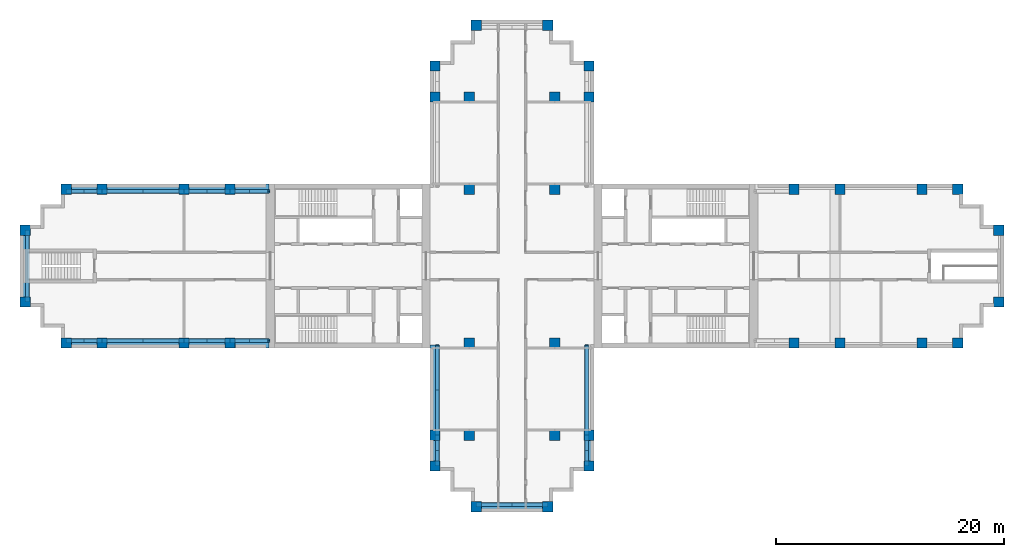
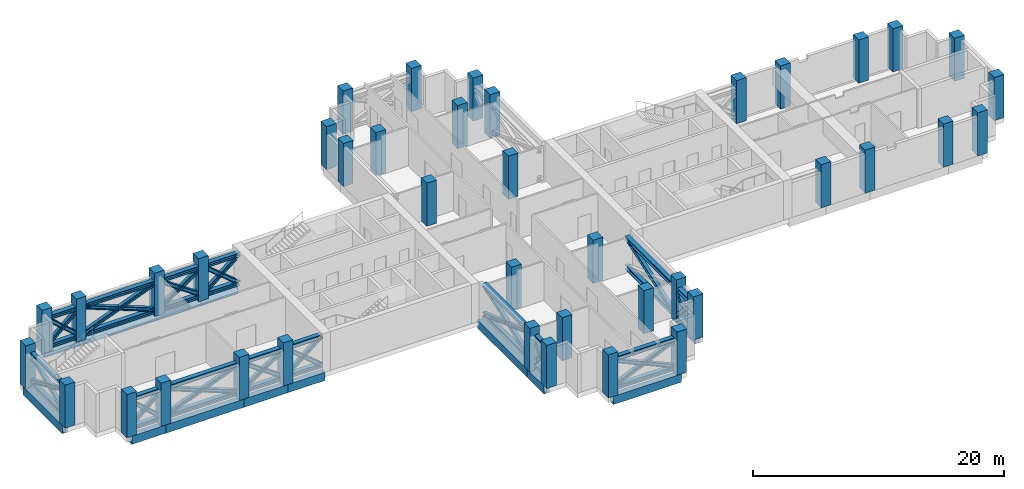
# One storey, part 1 of 9: 55 members, 40 columns, 13 beams.
"""IFC4 building model written with IfcOpenShell, lengths in metres."""

from ifc_helpers import new_model, si_unit, direction, frame, origin, origin_2d, place, context, subcontext, project, spatial, rectangle, i_section, extrude, material, material_profile, profile_set, type_object, element, save


model = new_model("IFC4")

# Units and contexts
model_context = context("Model", 3, precision=1e-05, world=origin(), true_north=direction((0.0, 1.0)))
body_context = subcontext(model_context, "Body", "Model", "MODEL_VIEW")
ifc_project = project(units=[si_unit("LENGTHUNIT", "METRE"), si_unit("AREAUNIT", "SQUARE_METRE"), si_unit("VOLUMEUNIT", "CUBIC_METRE"), si_unit("PLANEANGLEUNIT", "RADIAN"), si_unit("MASSUNIT", "GRAM", prefix="KILO")], contexts=[model_context])

# Site, building, storey
site_placement = place(None, origin())
site = spatial("IfcSite", under=ifc_project, at=site_placement, CompositionType="ELEMENT")
building_placement = place(site_placement, origin())
building = spatial("IfcBuilding", under=site, at=building_placement, Name="Fustian Cross Tower", CompositionType="ELEMENT")
storey_placement = place(building_placement, frame((0.0, 0.0, 162.300048828125)))
storey = spatial("IfcBuildingStorey", under=building, at=storey_placement, Name="L51", CompositionType="ELEMENT", Elevation=162.300048828125)

# Columns
ifc_material_1 = material(Name="Concrete C40/50", Category="concrete")
ifc_material_profile_1 = material_profile(ifc_material_1, rectangle(XDim=0.89990234375, YDim=0.89990234375, at=origin_2d()), Name="RC 900x900")
ifc_profile_set_1 = profile_set([ifc_material_profile_1], Name="Concrete C40/50")
column_type = type_object("IfcColumnType", Name="COLUMN RC 900x900 C40/50", PredefinedType="COLUMN", material=ifc_profile_set_1)
for number, where, z_axis, x_axis, name in (
    (1, (-42.75, -3.14990234375, 0.0), (0.0, 0.0, 1.0), (1.0, 0.0, 0.0), "COLUMN 001"),
    (2, (-42.75, 3.14990234375, 0.0), (0.0, 0.0, 1.0), (1.0, 0.0, 0.0), "COLUMN 002"),
    (3, (-39.14990234375, -6.75, 0.0), (0.0, 0.0, 1.0), (1.0, 0.0, 0.0), "COLUMN 003"),
    (4, (-39.14990234375, 6.75, 0.0), (0.0, 0.0, 1.0), (1.0, 0.0, 0.0), "COLUMN 004"),
    (5, (-36.0, -6.75, 0.0), (0.0, 0.0, 1.0), (1.0, 0.0, 0.0), "COLUMN 005"),
    (6, (-36.0, 6.75, 0.0), (0.0, 0.0, 1.0), (1.0, 0.0, 0.0), "COLUMN 006"),
    (7, (-28.800048828125, -6.75, 0.0), (0.0, 0.0, 1.0), (1.0, 0.0, 0.0), "COLUMN 007"),
    (8, (-28.800048828125, 6.75, 0.0), (0.0, 0.0, 1.0), (1.0, 0.0, 0.0), "COLUMN 010"),
    (9, (-24.75, -6.75, 0.0), (0.0, 0.0, 1.0), (1.0, 0.0, 0.0), "COLUMN 011"),
    (10, (-24.75, 6.75, 0.0), (0.0, 0.0, 1.0), (1.0, 0.0, 0.0), "COLUMN 012"),
    (11, (-6.75, -17.550048828125, 0.0), (0.0, 0.0, 1.0), (1.0, 0.0, 0.0), "COLUMN 017"),
    (12, (-6.75, -14.85009765625, 0.0), (0.0, 0.0, 1.0), (1.0, 0.0, 0.0), "COLUMN 018"),
    (13, (-6.75, 14.85009765625, 0.0), (0.0, 0.0, 1.0), (1.0, 0.0, 0.0), "COLUMN 019"),
    (14, (-6.75, 17.550048828125, 0.0), (0.0, 0.0, 1.0), (1.0, 0.0, 0.0), "COLUMN 020"),
    (15, (-3.75, -14.85009765625, 0.0), (0.0, 0.0, 1.0), (1.0, 0.0, 0.0), "COLUMN 025"),
    (16, (-3.75, -6.75, 0.0), (0.0, 0.0, 1.0), (1.0, 0.0, 0.0), "COLUMN 026"),
    (17, (-3.75, 6.75, 0.0), (0.0, 0.0, 1.0), (1.0, 0.0, 0.0), "COLUMN 027"),
    (18, (-3.75, 14.85009765625, 0.0), (0.0, 0.0, 1.0), (1.0, 0.0, 0.0), "COLUMN 028"),
    (19, (-3.14990234375, -21.14990234375, 0.0), (0.0, 0.0, 1.0), (1.0, 0.0, 0.0), "COLUMN 030"),
    (20, (-3.14990234375, 21.14990234375, 0.0), (0.0, 0.0, 1.0), (1.0, 0.0, 0.0), "COLUMN 031"),
    (21, (3.14990234375, -21.14990234375, 0.0), (0.0, 0.0, 1.0), (1.0, 0.0, 0.0), "COLUMN 034"),
    (22, (3.14990234375, 21.14990234375, 0.0), (0.0, 0.0, 1.0), (1.0, 0.0, 0.0), "COLUMN 035"),
    (23, (3.75, -14.85009765625, 0.0), (0.0, 0.0, 1.0), (1.0, 0.0, 0.0), "COLUMN 037"),
    (24, (3.75, -6.75, 0.0), (0.0, 0.0, 1.0), (1.0, 0.0, 0.0), "COLUMN 038"),
    (25, (3.75, 6.75, 0.0), (0.0, 0.0, 1.0), (1.0, 0.0, 0.0), "COLUMN 039"),
    (26, (3.75, 14.85009765625, 0.0), (0.0, 0.0, 1.0), (1.0, 0.0, 0.0), "COLUMN 040"),
    (27, (6.75, -17.550048828125, 0.0), (0.0, 0.0, 1.0), (1.0, 0.0, 0.0), "COLUMN 045"),
    (28, (6.75, -14.85009765625, 0.0), (0.0, 0.0, 1.0), (1.0, 0.0, 0.0), "COLUMN 046"),
    (29, (6.75, 14.85009765625, 0.0), (0.0, 0.0, 1.0), (1.0, 0.0, 0.0), "COLUMN 047"),
    (30, (6.75, 17.550048828125, 0.0), (0.0, 0.0, 1.0), (1.0, 0.0, 0.0), "COLUMN 048"),
    (31, (24.75, -6.75, 0.0), (0.0, 0.0, 1.0), (1.0, 0.0, 0.0), "COLUMN 053"),
    (32, (24.75, 6.75, 0.0), (0.0, 0.0, 1.0), (1.0, 0.0, 0.0), "COLUMN 054"),
    (33, (28.800048828125, -6.75, 0.0), (0.0, 0.0, 1.0), (1.0, 0.0, 0.0), "COLUMN 055"),
    (34, (28.800048828125, 6.75, 0.0), (0.0, 0.0, 1.0), (1.0, 0.0, 0.0), "COLUMN 058"),
    (35, (36.0, -6.75, 0.0), (0.0, 0.0, 1.0), (1.0, 0.0, 0.0), "COLUMN 059"),
    (36, (36.0, 6.75, 0.0), (0.0, 0.0, 1.0), (1.0, 0.0, 0.0), "COLUMN 060"),
    (37, (39.14990234375, -6.75, 0.0), (0.0, 0.0, 1.0), (1.0, 0.0, 0.0), "COLUMN 061"),
    (38, (39.14990234375, 6.75, 0.0), (0.0, 0.0, 1.0), (1.0, 0.0, 0.0), "COLUMN 062"),
    (39, (42.75, -3.14990234375, 0.0), (0.0, 0.0, 1.0), (1.0, 0.0, 0.0), "COLUMN 063"),
    (40, (42.75, 3.14990234375, 0.0), (0.0, 0.0, 1.0), (1.0, 0.0, 0.0), "COLUMN 064"),
):
    element("IfcColumn", number, at=place(storey_placement, frame(where, z_axis=z_axis, x_axis=x_axis)), inside=storey, type_object=column_type, Name=name, PredefinedType="COLUMN", context=body_context, shape_type="SweptSolid", body=[
        extrude(rectangle(XDim=0.89990234375, YDim=0.89990234375, at=origin_2d()), origin(), (0.0, 0.0, 1.0), 4.199951171875),
    ])

# Members
ifc_material_2 = material(Name="Steel S355", Category="steel")
ifc_material_profile_2 = material_profile(ifc_material_2, i_section(OverallWidth=0.318359375, OverallDepth=0.3525390625, WebThickness=0.02294921875, FlangeThickness=0.03759765625, FilletRadius=0.01513671875, at=origin_2d()), Name="UC 305x305x240")
ifc_profile_set_2 = profile_set([ifc_material_profile_2], Name="Steel S355")
member_type_1 = type_object("IfcMemberType", Name="BELT TRUSS BRACE UC 305x305x240 S355", PredefinedType="BRACE", material=ifc_profile_set_2)
for number, where, z_axis, x_axis, name in (
    (41, (-21.35009765625, 6.570068359375, 0.39990234375), (-0.772269488745, 0.0, 0.63529507849), (0.0, -1.0, 0.0), "BELT TRUSS BRACE L51-08X"),
    (42, (-21.35009765625, 6.570068359375, 3.19677734375), (-0.772269488745, 0.0, -0.63529507849), (0.0, -1.0, 0.0), "BELT TRUSS BRACE L51-08Y"),
):
    element("IfcMember", number, at=place(storey_placement, frame(where, z_axis=z_axis, x_axis=x_axis)), inside=storey, type_object=member_type_1, Name=name, PredefinedType="BRACE", context=body_context, shape_type="SweptSolid", body=[
        extrude(i_section(OverallWidth=0.318359375, OverallDepth=0.3525390625, WebThickness=0.02294921875, FlangeThickness=0.03759765625, FilletRadius=0.01513671875, at=origin_2d()), origin(), (0.0, 0.0, 1.0), 4.402587890625),
    ])
for number, where, z_axis, x_axis, name in (
    (43, (-24.75, 6.570068359375, 0.39990234375), (-0.822857692588, 0.0, 0.568247496913), (0.0, -1.0, 0.0), "BELT TRUSS BRACE L51-09X"),
    (44, (-24.75, 6.570068359375, 3.19677734375), (-0.822857692588, 0.0, -0.568247496913), (0.0, -1.0, 0.0), "BELT TRUSS BRACE L51-09Y"),
):
    element("IfcMember", number, at=place(storey_placement, frame(where, z_axis=z_axis, x_axis=x_axis)), inside=storey, type_object=member_type_1, Name=name, PredefinedType="BRACE", context=body_context, shape_type="SweptSolid", body=[
        extrude(i_section(OverallWidth=0.318359375, OverallDepth=0.3525390625, WebThickness=0.02294921875, FlangeThickness=0.03759765625, FilletRadius=0.01513671875, at=origin_2d()), origin(), (0.0, 0.0, 1.0), 4.921875),
    ])
for number, where, z_axis, x_axis, name in (
    (45, (-28.800048828125, 6.570068359375, 0.39990234375), (-0.932140442606, 0.0, 0.362096941796), (0.0, -1.0, 0.0), "BELT TRUSS BRACE L51-10X"),
    (46, (-28.800048828125, 6.570068359375, 3.19677734375), (-0.932140442606, 0.0, -0.362096941796), (0.0, -1.0, 0.0), "BELT TRUSS BRACE L51-10Y"),
):
    element("IfcMember", number, at=place(storey_placement, frame(where, z_axis=z_axis, x_axis=x_axis)), inside=storey, type_object=member_type_1, Name=name, PredefinedType="BRACE", context=body_context, shape_type="SweptSolid", body=[
        extrude(i_section(OverallWidth=0.318359375, OverallDepth=0.3525390625, WebThickness=0.02294921875, FlangeThickness=0.03759765625, FilletRadius=0.01513671875, at=origin_2d()), origin(), (0.0, 0.0, 1.0), 7.72412109375),
    ])
for number, where, z_axis, x_axis, name in (
    (47, (-36.0, 6.570068359375, 0.39990234375), (-0.747767347314, 0.0, 0.663960837919), (0.0, -1.0, 0.0), "BELT TRUSS BRACE L51-11X"),
    (48, (-36.0, 6.570068359375, 3.19677734375), (-0.747767347314, 0.0, -0.663960837919), (0.0, -1.0, 0.0), "BELT TRUSS BRACE L51-11Y"),
):
    element("IfcMember", number, at=place(storey_placement, frame(where, z_axis=z_axis, x_axis=x_axis)), inside=storey, type_object=member_type_1, Name=name, PredefinedType="BRACE", context=body_context, shape_type="SweptSolid", body=[
        extrude(i_section(OverallWidth=0.318359375, OverallDepth=0.3525390625, WebThickness=0.02294921875, FlangeThickness=0.03759765625, FilletRadius=0.01513671875, at=origin_2d()), origin(), (0.0, 0.0, 1.0), 4.21240234375),
    ])
for number, where, z_axis, x_axis, name in (
    (49, (-42.570068359375, 3.14990234375, 0.39990234375), (0.0, -0.913975063302, 0.405770358285), (1.0, 0.0, 0.0), "BELT TRUSS BRACE L51-12X"),
    (50, (-42.570068359375, 3.14990234375, 3.19677734375), (0.0, -0.913975063302, -0.405770358285), (1.0, 0.0, 0.0), "BELT TRUSS BRACE L51-12Y"),
):
    element("IfcMember", number, at=place(storey_placement, frame(where, z_axis=z_axis, x_axis=x_axis)), inside=storey, type_object=member_type_1, Name=name, PredefinedType="BRACE", context=body_context, shape_type="SweptSolid", body=[
        extrude(i_section(OverallWidth=0.318359375, OverallDepth=0.3525390625, WebThickness=0.02294921875, FlangeThickness=0.03759765625, FilletRadius=0.01513671875, at=origin_2d()), origin(), (0.0, 0.0, 1.0), 6.892822265625),
    ])
for number, where, z_axis, x_axis, name in (
    (51, (-39.14990234375, -6.570068359375, 0.39990234375), (0.747767347314, 0.0, 0.663960837919), (0.0, 1.0, 0.0), "BELT TRUSS BRACE L51-13X"),
    (52, (-39.14990234375, -6.570068359375, 3.19677734375), (0.747767347314, 0.0, -0.663960837919), (0.0, 1.0, 0.0), "BELT TRUSS BRACE L51-13Y"),
):
    element("IfcMember", number, at=place(storey_placement, frame(where, z_axis=z_axis, x_axis=x_axis)), inside=storey, type_object=member_type_1, Name=name, PredefinedType="BRACE", context=body_context, shape_type="SweptSolid", body=[
        extrude(i_section(OverallWidth=0.318359375, OverallDepth=0.3525390625, WebThickness=0.02294921875, FlangeThickness=0.03759765625, FilletRadius=0.01513671875, at=origin_2d()), origin(), (0.0, 0.0, 1.0), 4.21240234375),
    ])
for number, where, z_axis, x_axis, name in (
    (53, (-36.0, -6.570068359375, 0.39990234375), (0.932140442606, 0.0, 0.362096941796), (0.0, 1.0, 0.0), "BELT TRUSS BRACE L51-14X"),
    (54, (-36.0, -6.570068359375, 3.19677734375), (0.932140442606, 0.0, -0.362096941796), (0.0, 1.0, 0.0), "BELT TRUSS BRACE L51-14Y"),
):
    element("IfcMember", number, at=place(storey_placement, frame(where, z_axis=z_axis, x_axis=x_axis)), inside=storey, type_object=member_type_1, Name=name, PredefinedType="BRACE", context=body_context, shape_type="SweptSolid", body=[
        extrude(i_section(OverallWidth=0.318359375, OverallDepth=0.3525390625, WebThickness=0.02294921875, FlangeThickness=0.03759765625, FilletRadius=0.01513671875, at=origin_2d()), origin(), (0.0, 0.0, 1.0), 7.72412109375),
    ])
for number, where, z_axis, x_axis, name in (
    (55, (-28.800048828125, -6.570068359375, 0.39990234375), (0.822857692588, 0.0, 0.568247496913), (0.0, 1.0, 0.0), "BELT TRUSS BRACE L51-15X"),
    (56, (-28.800048828125, -6.570068359375, 3.19677734375), (0.822857692588, 0.0, -0.568247496913), (0.0, 1.0, 0.0), "BELT TRUSS BRACE L51-15Y"),
):
    element("IfcMember", number, at=place(storey_placement, frame(where, z_axis=z_axis, x_axis=x_axis)), inside=storey, type_object=member_type_1, Name=name, PredefinedType="BRACE", context=body_context, shape_type="SweptSolid", body=[
        extrude(i_section(OverallWidth=0.318359375, OverallDepth=0.3525390625, WebThickness=0.02294921875, FlangeThickness=0.03759765625, FilletRadius=0.01513671875, at=origin_2d()), origin(), (0.0, 0.0, 1.0), 4.921875),
    ])
for number, where, z_axis, x_axis, name in (
    (57, (-24.75, -6.570068359375, 0.39990234375), (0.772269488745, 0.0, 0.63529507849), (0.0, 1.0, 0.0), "BELT TRUSS BRACE L51-16X"),
    (58, (-24.75, -6.570068359375, 3.19677734375), (0.772269488745, 0.0, -0.63529507849), (0.0, 1.0, 0.0), "BELT TRUSS BRACE L51-16Y"),
):
    element("IfcMember", number, at=place(storey_placement, frame(where, z_axis=z_axis, x_axis=x_axis)), inside=storey, type_object=member_type_1, Name=name, PredefinedType="BRACE", context=body_context, shape_type="SweptSolid", body=[
        extrude(i_section(OverallWidth=0.318359375, OverallDepth=0.3525390625, WebThickness=0.02294921875, FlangeThickness=0.03759765625, FilletRadius=0.01513671875, at=origin_2d()), origin(), (0.0, 0.0, 1.0), 4.402587890625),
    ])
for number, where, z_axis, x_axis, name in (
    (59, (-6.570068359375, -6.949951171875, 0.39990234375), (0.0, -0.942668280841, 0.333731197667), (1.0, 0.0, 0.0), "BELT TRUSS BRACE L51-17X"),
    (60, (-6.570068359375, -6.949951171875, 3.19677734375), (0.0, -0.942668280841, -0.333731197667), (1.0, 0.0, 0.0), "BELT TRUSS BRACE L51-17Y"),
):
    element("IfcMember", number, at=place(storey_placement, frame(where, z_axis=z_axis, x_axis=x_axis)), inside=storey, type_object=member_type_1, Name=name, PredefinedType="BRACE", context=body_context, shape_type="SweptSolid", body=[
        extrude(i_section(OverallWidth=0.318359375, OverallDepth=0.3525390625, WebThickness=0.02294921875, FlangeThickness=0.03759765625, FilletRadius=0.01513671875, at=origin_2d()), origin(), (0.0, 0.0, 1.0), 8.380615234375),
    ])
for number, where, z_axis, x_axis, name in (
    (61, (-6.570068359375, -14.85009765625, 0.39990234375), (0.0, -0.69453062653, 0.719463139301), (1.0, 0.0, 0.0), "BELT TRUSS BRACE L51-18X"),
    (62, (-6.570068359375, -14.85009765625, 3.19677734375), (0.0, -0.69453062653, -0.719463139301), (1.0, 0.0, 0.0), "BELT TRUSS BRACE L51-18Y"),
):
    element("IfcMember", number, at=place(storey_placement, frame(where, z_axis=z_axis, x_axis=x_axis)), inside=storey, type_object=member_type_1, Name=name, PredefinedType="BRACE", context=body_context, shape_type="SweptSolid", body=[
        extrude(i_section(OverallWidth=0.318359375, OverallDepth=0.3525390625, WebThickness=0.02294921875, FlangeThickness=0.03759765625, FilletRadius=0.01513671875, at=origin_2d()), origin(), (0.0, 0.0, 1.0), 3.887451171875),
    ])
for number, where, z_axis, x_axis, name in (
    (63, (-3.14990234375, -20.969970703125, 0.39990234375), (0.913975063302, 0.0, 0.405770358285), (0.0, 1.0, 0.0), "BELT TRUSS BRACE L51-19X"),
    (64, (-3.14990234375, -20.969970703125, 3.19677734375), (0.913975063302, 0.0, -0.405770358285), (0.0, 1.0, 0.0), "BELT TRUSS BRACE L51-19Y"),
):
    element("IfcMember", number, at=place(storey_placement, frame(where, z_axis=z_axis, x_axis=x_axis)), inside=storey, type_object=member_type_1, Name=name, PredefinedType="BRACE", context=body_context, shape_type="SweptSolid", body=[
        extrude(i_section(OverallWidth=0.318359375, OverallDepth=0.3525390625, WebThickness=0.02294921875, FlangeThickness=0.03759765625, FilletRadius=0.01513671875, at=origin_2d()), origin(), (0.0, 0.0, 1.0), 6.892822265625),
    ])
for number, where, z_axis, x_axis, name in (
    (65, (6.570068359375, -17.550048828125, 0.39990234375), (0.0, 0.69453062653, 0.719463139301), (-1.0, 0.0, 0.0), "BELT TRUSS BRACE L51-20X"),
    (66, (6.570068359375, -17.550048828125, 3.19677734375), (0.0, 0.69453062653, -0.719463139301), (-1.0, 0.0, 0.0), "BELT TRUSS BRACE L51-20Y"),
):
    element("IfcMember", number, at=place(storey_placement, frame(where, z_axis=z_axis, x_axis=x_axis)), inside=storey, type_object=member_type_1, Name=name, PredefinedType="BRACE", context=body_context, shape_type="SweptSolid", body=[
        extrude(i_section(OverallWidth=0.318359375, OverallDepth=0.3525390625, WebThickness=0.02294921875, FlangeThickness=0.03759765625, FilletRadius=0.01513671875, at=origin_2d()), origin(), (0.0, 0.0, 1.0), 3.887451171875),
    ])
member_placement = place(storey_placement, frame((6.570068359375, -14.85009765625, 0.39990234375), z_axis=(0.0, 0.942668280841, 0.333731197667), x_axis=(-1.0, 0.0, 0.0)))
element("IfcMember", 67, at=member_placement, inside=storey, type_object=member_type_1, Name="BELT TRUSS BRACE L51-21X", PredefinedType="BRACE", context=body_context, shape_type="SweptSolid", body=[
    extrude(i_section(OverallWidth=0.318359375, OverallDepth=0.3525390625, WebThickness=0.02294921875, FlangeThickness=0.03759765625, FilletRadius=0.01513671875, at=origin_2d()), origin(), (0.0, 0.0, 1.0), 8.380615234375),
])
ifc_material_3 = material(Name="Steel S355", Category="steel")
ifc_material_profile_3 = material_profile(ifc_material_3, i_section(OverallWidth=0.403076171875, OverallDepth=0.406494140625, WebThickness=0.026611328125, FlangeThickness=0.04296875, FilletRadius=0.01513671875, at=origin_2d()), Name="UC 356x406x340")
ifc_profile_set_3 = profile_set([ifc_material_profile_3], Name="Steel S355")
member_type_2 = type_object("IfcMemberType", Name="BELT TRUSS CHORD UC 356x406x340 S355", PredefinedType="CHORD", material=ifc_profile_set_3)
for number, where, z_axis, x_axis, name in (
    (68, (-21.35009765625, 6.570068359375, 3.19677734375), (-1.0, 0.0, 0.0), (0.0, -1.0, 0.0), "BELT TRUSS CHORD L51-08"),
    (69, (-21.35009765625, 6.570068359375, 0.39990234375), (-1.0, 0.0, 0.0), (0.0, -1.0, 0.0), "BELT TRUSS CHORD L51-08"),
):
    element("IfcMember", number, at=place(storey_placement, frame(where, z_axis=z_axis, x_axis=x_axis)), inside=storey, type_object=member_type_2, Name=name, PredefinedType="CHORD", context=body_context, shape_type="SweptSolid", body=[
        extrude(i_section(OverallWidth=0.403076171875, OverallDepth=0.406494140625, WebThickness=0.026611328125, FlangeThickness=0.04296875, FilletRadius=0.01513671875, at=origin_2d()), origin(), (0.0, 0.0, 1.0), 3.39990234375),
    ])
for number, where, z_axis, x_axis, name in (
    (70, (-24.75, 6.570068359375, 3.19677734375), (-1.0, 0.0, 0.0), (0.0, -1.0, 0.0), "BELT TRUSS CHORD L51-09"),
    (71, (-24.75, 6.570068359375, 0.39990234375), (-1.0, 0.0, 0.0), (0.0, -1.0, 0.0), "BELT TRUSS CHORD L51-09"),
):
    element("IfcMember", number, at=place(storey_placement, frame(where, z_axis=z_axis, x_axis=x_axis)), inside=storey, type_object=member_type_2, Name=name, PredefinedType="CHORD", context=body_context, shape_type="SweptSolid", body=[
        extrude(i_section(OverallWidth=0.403076171875, OverallDepth=0.406494140625, WebThickness=0.026611328125, FlangeThickness=0.04296875, FilletRadius=0.01513671875, at=origin_2d()), origin(), (0.0, 0.0, 1.0), 4.050048828125),
    ])
for number, where, z_axis, x_axis, name in (
    (72, (-28.800048828125, 6.570068359375, 3.19677734375), (-1.0, 0.0, 0.0), (0.0, -1.0, 0.0), "BELT TRUSS CHORD L51-10"),
    (73, (-28.800048828125, 6.570068359375, 0.39990234375), (-1.0, 0.0, 0.0), (0.0, -1.0, 0.0), "BELT TRUSS CHORD L51-10"),
):
    element("IfcMember", number, at=place(storey_placement, frame(where, z_axis=z_axis, x_axis=x_axis)), inside=storey, type_object=member_type_2, Name=name, PredefinedType="CHORD", context=body_context, shape_type="SweptSolid", body=[
        extrude(i_section(OverallWidth=0.403076171875, OverallDepth=0.406494140625, WebThickness=0.026611328125, FlangeThickness=0.04296875, FilletRadius=0.01513671875, at=origin_2d()), origin(), (0.0, 0.0, 1.0), 7.199951171875),
    ])
for number, where, z_axis, x_axis, name in (
    (74, (-36.0, 6.570068359375, 3.19677734375), (-1.0, 0.0, 0.0), (0.0, -1.0, 0.0), "BELT TRUSS CHORD L51-11"),
    (75, (-36.0, 6.570068359375, 0.39990234375), (-1.0, 0.0, 0.0), (0.0, -1.0, 0.0), "BELT TRUSS CHORD L51-11"),
):
    element("IfcMember", number, at=place(storey_placement, frame(where, z_axis=z_axis, x_axis=x_axis)), inside=storey, type_object=member_type_2, Name=name, PredefinedType="CHORD", context=body_context, shape_type="SweptSolid", body=[
        extrude(i_section(OverallWidth=0.403076171875, OverallDepth=0.406494140625, WebThickness=0.026611328125, FlangeThickness=0.04296875, FilletRadius=0.01513671875, at=origin_2d()), origin(), (0.0, 0.0, 1.0), 3.14990234375),
    ])
for number, where, z_axis, x_axis, name in (
    (76, (-42.570068359375, 3.14990234375, 3.19677734375), (0.0, -1.0, 0.0), (1.0, 0.0, 0.0), "BELT TRUSS CHORD L51-12"),
    (77, (-42.570068359375, 3.14990234375, 0.39990234375), (0.0, -1.0, 0.0), (1.0, 0.0, 0.0), "BELT TRUSS CHORD L51-12"),
):
    element("IfcMember", number, at=place(storey_placement, frame(where, z_axis=z_axis, x_axis=x_axis)), inside=storey, type_object=member_type_2, Name=name, PredefinedType="CHORD", context=body_context, shape_type="SweptSolid", body=[
        extrude(i_section(OverallWidth=0.403076171875, OverallDepth=0.406494140625, WebThickness=0.026611328125, FlangeThickness=0.04296875, FilletRadius=0.01513671875, at=origin_2d()), origin(), (0.0, 0.0, 1.0), 6.2998046875),
    ])
for number, where, z_axis, x_axis, name in (
    (78, (-39.14990234375, -6.570068359375, 3.19677734375), (1.0, 0.0, 0.0), (0.0, 1.0, 0.0), "BELT TRUSS CHORD L51-13"),
    (79, (-39.14990234375, -6.570068359375, 0.39990234375), (1.0, 0.0, 0.0), (0.0, 1.0, 0.0), "BELT TRUSS CHORD L51-13"),
):
    element("IfcMember", number, at=place(storey_placement, frame(where, z_axis=z_axis, x_axis=x_axis)), inside=storey, type_object=member_type_2, Name=name, PredefinedType="CHORD", context=body_context, shape_type="SweptSolid", body=[
        extrude(i_section(OverallWidth=0.403076171875, OverallDepth=0.406494140625, WebThickness=0.026611328125, FlangeThickness=0.04296875, FilletRadius=0.01513671875, at=origin_2d()), origin(), (0.0, 0.0, 1.0), 3.14990234375),
    ])
for number, where, z_axis, x_axis, name in (
    (80, (-36.0, -6.570068359375, 3.19677734375), (1.0, 0.0, 0.0), (0.0, 1.0, 0.0), "BELT TRUSS CHORD L51-14"),
    (81, (-36.0, -6.570068359375, 0.39990234375), (1.0, 0.0, 0.0), (0.0, 1.0, 0.0), "BELT TRUSS CHORD L51-14"),
):
    element("IfcMember", number, at=place(storey_placement, frame(where, z_axis=z_axis, x_axis=x_axis)), inside=storey, type_object=member_type_2, Name=name, PredefinedType="CHORD", context=body_context, shape_type="SweptSolid", body=[
        extrude(i_section(OverallWidth=0.403076171875, OverallDepth=0.406494140625, WebThickness=0.026611328125, FlangeThickness=0.04296875, FilletRadius=0.01513671875, at=origin_2d()), origin(), (0.0, 0.0, 1.0), 7.199951171875),
    ])
for number, where, z_axis, x_axis, name in (
    (82, (-28.800048828125, -6.570068359375, 3.19677734375), (1.0, 0.0, 0.0), (0.0, 1.0, 0.0), "BELT TRUSS CHORD L51-15"),
    (83, (-28.800048828125, -6.570068359375, 0.39990234375), (1.0, 0.0, 0.0), (0.0, 1.0, 0.0), "BELT TRUSS CHORD L51-15"),
):
    element("IfcMember", number, at=place(storey_placement, frame(where, z_axis=z_axis, x_axis=x_axis)), inside=storey, type_object=member_type_2, Name=name, PredefinedType="CHORD", context=body_context, shape_type="SweptSolid", body=[
        extrude(i_section(OverallWidth=0.403076171875, OverallDepth=0.406494140625, WebThickness=0.026611328125, FlangeThickness=0.04296875, FilletRadius=0.01513671875, at=origin_2d()), origin(), (0.0, 0.0, 1.0), 4.050048828125),
    ])
for number, where, z_axis, x_axis, name in (
    (84, (-24.75, -6.570068359375, 3.19677734375), (1.0, 0.0, 0.0), (0.0, 1.0, 0.0), "BELT TRUSS CHORD L51-16"),
    (85, (-24.75, -6.570068359375, 0.39990234375), (1.0, 0.0, 0.0), (0.0, 1.0, 0.0), "BELT TRUSS CHORD L51-16"),
):
    element("IfcMember", number, at=place(storey_placement, frame(where, z_axis=z_axis, x_axis=x_axis)), inside=storey, type_object=member_type_2, Name=name, PredefinedType="CHORD", context=body_context, shape_type="SweptSolid", body=[
        extrude(i_section(OverallWidth=0.403076171875, OverallDepth=0.406494140625, WebThickness=0.026611328125, FlangeThickness=0.04296875, FilletRadius=0.01513671875, at=origin_2d()), origin(), (0.0, 0.0, 1.0), 3.39990234375),
    ])
for number, where, z_axis, x_axis, name in (
    (86, (-6.570068359375, -6.949951171875, 3.19677734375), (0.0, -1.0, 0.0), (1.0, 0.0, 0.0), "BELT TRUSS CHORD L51-17"),
    (87, (-6.570068359375, -6.949951171875, 0.39990234375), (0.0, -1.0, 0.0), (1.0, 0.0, 0.0), "BELT TRUSS CHORD L51-17"),
):
    element("IfcMember", number, at=place(storey_placement, frame(where, z_axis=z_axis, x_axis=x_axis)), inside=storey, type_object=member_type_2, Name=name, PredefinedType="CHORD", context=body_context, shape_type="SweptSolid", body=[
        extrude(i_section(OverallWidth=0.403076171875, OverallDepth=0.406494140625, WebThickness=0.026611328125, FlangeThickness=0.04296875, FilletRadius=0.01513671875, at=origin_2d()), origin(), (0.0, 0.0, 1.0), 7.900146484375),
    ])
for number, where, z_axis, x_axis, name in (
    (88, (-6.570068359375, -14.85009765625, 3.19677734375), (0.0, -1.0, 0.0), (1.0, 0.0, 0.0), "BELT TRUSS CHORD L51-18"),
    (89, (-6.570068359375, -14.85009765625, 0.39990234375), (0.0, -1.0, 0.0), (1.0, 0.0, 0.0), "BELT TRUSS CHORD L51-18"),
):
    element("IfcMember", number, at=place(storey_placement, frame(where, z_axis=z_axis, x_axis=x_axis)), inside=storey, type_object=member_type_2, Name=name, PredefinedType="CHORD", context=body_context, shape_type="SweptSolid", body=[
        extrude(i_section(OverallWidth=0.403076171875, OverallDepth=0.406494140625, WebThickness=0.026611328125, FlangeThickness=0.04296875, FilletRadius=0.01513671875, at=origin_2d()), origin(), (0.0, 0.0, 1.0), 2.699951171875),
    ])
for number, where, z_axis, x_axis, name in (
    (90, (-3.14990234375, -20.969970703125, 3.19677734375), (1.0, 0.0, 0.0), (0.0, 1.0, 0.0), "BELT TRUSS CHORD L51-19"),
    (91, (-3.14990234375, -20.969970703125, 0.39990234375), (1.0, 0.0, 0.0), (0.0, 1.0, 0.0), "BELT TRUSS CHORD L51-19"),
):
    element("IfcMember", number, at=place(storey_placement, frame(where, z_axis=z_axis, x_axis=x_axis)), inside=storey, type_object=member_type_2, Name=name, PredefinedType="CHORD", context=body_context, shape_type="SweptSolid", body=[
        extrude(i_section(OverallWidth=0.403076171875, OverallDepth=0.406494140625, WebThickness=0.026611328125, FlangeThickness=0.04296875, FilletRadius=0.01513671875, at=origin_2d()), origin(), (0.0, 0.0, 1.0), 6.2998046875),
    ])
for number, where, z_axis, x_axis, name in (
    (92, (6.570068359375, -17.550048828125, 3.19677734375), (0.0, 1.0, 0.0), (-1.0, 0.0, 0.0), "BELT TRUSS CHORD L51-20"),
    (93, (6.570068359375, -17.550048828125, 0.39990234375), (0.0, 1.0, 0.0), (-1.0, 0.0, 0.0), "BELT TRUSS CHORD L51-20"),
):
    element("IfcMember", number, at=place(storey_placement, frame(where, z_axis=z_axis, x_axis=x_axis)), inside=storey, type_object=member_type_2, Name=name, PredefinedType="CHORD", context=body_context, shape_type="SweptSolid", body=[
        extrude(i_section(OverallWidth=0.403076171875, OverallDepth=0.406494140625, WebThickness=0.026611328125, FlangeThickness=0.04296875, FilletRadius=0.01513671875, at=origin_2d()), origin(), (0.0, 0.0, 1.0), 2.699951171875),
    ])
for number, where, z_axis, x_axis, name in (
    (94, (6.570068359375, -14.85009765625, 3.19677734375), (0.0, 1.0, 0.0), (-1.0, 0.0, 0.0), "BELT TRUSS CHORD L51-21"),
    (95, (6.570068359375, -14.85009765625, 0.39990234375), (0.0, 1.0, 0.0), (-1.0, 0.0, 0.0), "BELT TRUSS CHORD L51-21"),
):
    element("IfcMember", number, at=place(storey_placement, frame(where, z_axis=z_axis, x_axis=x_axis)), inside=storey, type_object=member_type_2, Name=name, PredefinedType="CHORD", context=body_context, shape_type="SweptSolid", body=[
        extrude(i_section(OverallWidth=0.403076171875, OverallDepth=0.406494140625, WebThickness=0.026611328125, FlangeThickness=0.04296875, FilletRadius=0.01513671875, at=origin_2d()), origin(), (0.0, 0.0, 1.0), 7.900146484375),
    ])

# Beams
ifc_material_4 = material(Name="Concrete C50/60", Category="concrete")
ifc_material_profile_4 = material_profile(ifc_material_4, rectangle(XDim=0.5, YDim=0.800048828125, at=origin_2d()), Name="RC 500x800")
ifc_profile_set_4 = profile_set([ifc_material_profile_4], Name="Concrete C50/60")
beam_type = type_object("IfcBeamType", Name="EDGE BEAM RC 500x800 C50/60", PredefinedType="SPANDREL", material=ifc_profile_set_4)
beam_1_placement = place(storey_placement, frame((-21.35009765625, 6.949951171875, -0.400146484375), z_axis=(-1.0, 0.0, 0.0), x_axis=(0.0, -1.0, 0.0)))
element("IfcBeam", 96, at=beam_1_placement, inside=storey, type_object=beam_type, Name="EDGE BEAM L51-15", PredefinedType="SPANDREL", context=body_context, shape_type="SweptSolid", body=[
    extrude(rectangle(XDim=0.5, YDim=0.800048828125, at=origin_2d()), origin(), (0.0, 0.0, 1.0), 3.39990234375),
])
beam_2_placement = place(storey_placement, frame((-24.75, 6.949951171875, -0.400146484375), z_axis=(-1.0, 0.0, 0.0), x_axis=(0.0, -1.0, 0.0)))
element("IfcBeam", 97, at=beam_2_placement, inside=storey, type_object=beam_type, Name="EDGE BEAM L51-16", PredefinedType="SPANDREL", context=body_context, shape_type="SweptSolid", body=[
    extrude(rectangle(XDim=0.5, YDim=0.800048828125, at=origin_2d()), origin(), (0.0, 0.0, 1.0), 4.050048828125),
])
beam_3_placement = place(storey_placement, frame((-28.800048828125, 6.949951171875, -0.400146484375), z_axis=(-1.0, 0.0, 0.0), x_axis=(0.0, -1.0, 0.0)))
element("IfcBeam", 98, at=beam_3_placement, inside=storey, type_object=beam_type, Name="EDGE BEAM L51-17", PredefinedType="SPANDREL", context=body_context, shape_type="SweptSolid", body=[
    extrude(rectangle(XDim=0.5, YDim=0.800048828125, at=origin_2d()), origin(), (0.0, 0.0, 1.0), 7.199951171875),
])
beam_4_placement = place(storey_placement, frame((-36.0, 6.949951171875, -0.400146484375), z_axis=(-1.0, 0.0, 0.0), x_axis=(0.0, -1.0, 0.0)))
element("IfcBeam", 99, at=beam_4_placement, inside=storey, type_object=beam_type, Name="EDGE BEAM L51-18", PredefinedType="SPANDREL", context=body_context, shape_type="SweptSolid", body=[
    extrude(rectangle(XDim=0.5, YDim=0.800048828125, at=origin_2d()), origin(), (0.0, 0.0, 1.0), 3.14990234375),
])
beam_5_placement = place(storey_placement, frame((-42.949951171875, 3.14990234375, -0.400146484375), z_axis=(0.0, -1.0, 0.0), x_axis=(1.0, 0.0, 0.0)))
element("IfcBeam", 100, at=beam_5_placement, inside=storey, type_object=beam_type, Name="EDGE BEAM L51-19", PredefinedType="SPANDREL", context=body_context, shape_type="SweptSolid", body=[
    extrude(rectangle(XDim=0.5, YDim=0.800048828125, at=origin_2d()), origin(), (0.0, 0.0, 1.0), 6.2998046875),
])
beam_6_placement = place(storey_placement, frame((-39.14990234375, -6.949951171875, -0.400146484375), z_axis=(1.0, 0.0, 0.0), x_axis=(0.0, 1.0, 0.0)))
element("IfcBeam", 101, at=beam_6_placement, inside=storey, type_object=beam_type, Name="EDGE BEAM L51-20", PredefinedType="SPANDREL", context=body_context, shape_type="SweptSolid", body=[
    extrude(rectangle(XDim=0.5, YDim=0.800048828125, at=origin_2d()), origin(), (0.0, 0.0, 1.0), 3.14990234375),
])
beam_7_placement = place(storey_placement, frame((-36.0, -6.949951171875, -0.400146484375), z_axis=(1.0, 0.0, 0.0), x_axis=(0.0, 1.0, 0.0)))
element("IfcBeam", 102, at=beam_7_placement, inside=storey, type_object=beam_type, Name="EDGE BEAM L51-21", PredefinedType="SPANDREL", context=body_context, shape_type="SweptSolid", body=[
    extrude(rectangle(XDim=0.5, YDim=0.800048828125, at=origin_2d()), origin(), (0.0, 0.0, 1.0), 7.199951171875),
])
beam_8_placement = place(storey_placement, frame((-28.800048828125, -6.949951171875, -0.400146484375), z_axis=(1.0, 0.0, 0.0), x_axis=(0.0, 1.0, 0.0)))
element("IfcBeam", 103, at=beam_8_placement, inside=storey, type_object=beam_type, Name="EDGE BEAM L51-22", PredefinedType="SPANDREL", context=body_context, shape_type="SweptSolid", body=[
    extrude(rectangle(XDim=0.5, YDim=0.800048828125, at=origin_2d()), origin(), (0.0, 0.0, 1.0), 4.050048828125),
])
beam_9_placement = place(storey_placement, frame((-24.75, -6.949951171875, -0.400146484375), z_axis=(1.0, 0.0, 0.0), x_axis=(0.0, 1.0, 0.0)))
element("IfcBeam", 104, at=beam_9_placement, inside=storey, type_object=beam_type, Name="EDGE BEAM L51-23", PredefinedType="SPANDREL", context=body_context, shape_type="SweptSolid", body=[
    extrude(rectangle(XDim=0.5, YDim=0.800048828125, at=origin_2d()), origin(), (0.0, 0.0, 1.0), 3.39990234375),
])
beam_10_placement = place(storey_placement, frame((-6.949951171875, -6.949951171875, -0.400146484375), z_axis=(0.0, -1.0, 0.0), x_axis=(1.0, 0.0, 0.0)))
element("IfcBeam", 105, at=beam_10_placement, inside=storey, type_object=beam_type, Name="EDGE BEAM L51-24", PredefinedType="SPANDREL", context=body_context, shape_type="SweptSolid", body=[
    extrude(rectangle(XDim=0.5, YDim=0.800048828125, at=origin_2d()), origin(), (0.0, 0.0, 1.0), 7.900146484375),
])
beam_11_placement = place(storey_placement, frame((-6.949951171875, -14.85009765625, -0.400146484375), z_axis=(0.0, -1.0, 0.0), x_axis=(1.0, 0.0, 0.0)))
element("IfcBeam", 106, at=beam_11_placement, inside=storey, type_object=beam_type, Name="EDGE BEAM L51-25", PredefinedType="SPANDREL", context=body_context, shape_type="SweptSolid", body=[
    extrude(rectangle(XDim=0.5, YDim=0.800048828125, at=origin_2d()), origin(), (0.0, 0.0, 1.0), 2.699951171875),
])
beam_12_placement = place(storey_placement, frame((-3.14990234375, -21.35009765625, -0.400146484375), z_axis=(1.0, 0.0, 0.0), x_axis=(0.0, 1.0, 0.0)))
element("IfcBeam", 107, at=beam_12_placement, inside=storey, type_object=beam_type, Name="EDGE BEAM L51-26", PredefinedType="SPANDREL", context=body_context, shape_type="SweptSolid", body=[
    extrude(rectangle(XDim=0.5, YDim=0.800048828125, at=origin_2d()), origin(), (0.0, 0.0, 1.0), 6.2998046875),
])
beam_13_placement = place(storey_placement, frame((6.949951171875, -17.550048828125, -0.400146484375), z_axis=(0.0, 1.0, 0.0), x_axis=(-1.0, 0.0, 0.0)))
element("IfcBeam", 108, at=beam_13_placement, inside=storey, type_object=beam_type, Name="EDGE BEAM L51-27", PredefinedType="SPANDREL", context=body_context, shape_type="SweptSolid", body=[
    extrude(rectangle(XDim=0.5, YDim=0.800048828125, at=origin_2d()), origin(), (0.0, 0.0, 1.0), 2.699951171875),
])

save(model, "model.ifc")
